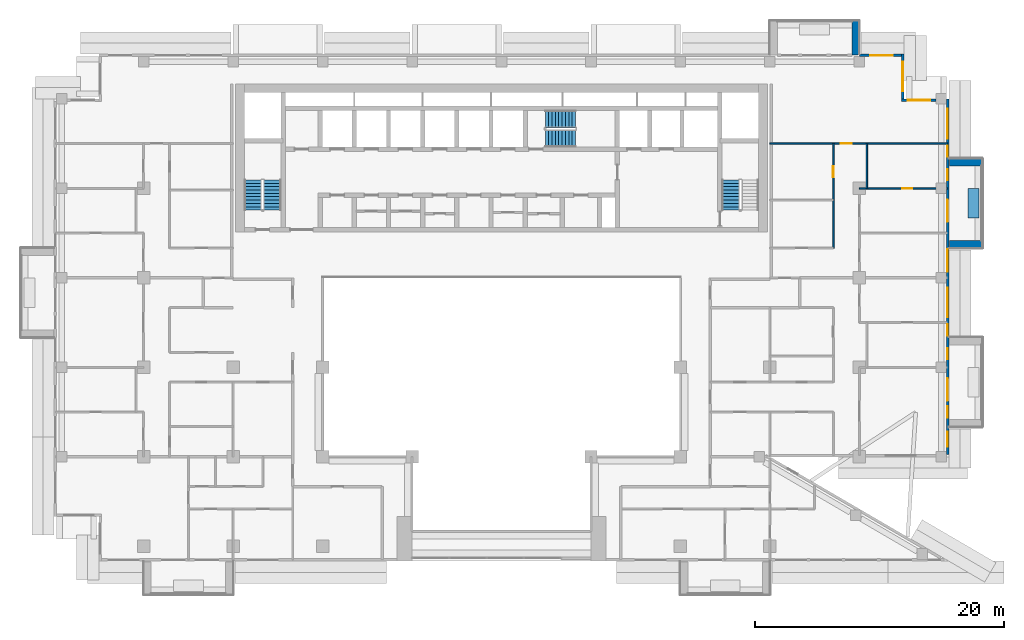
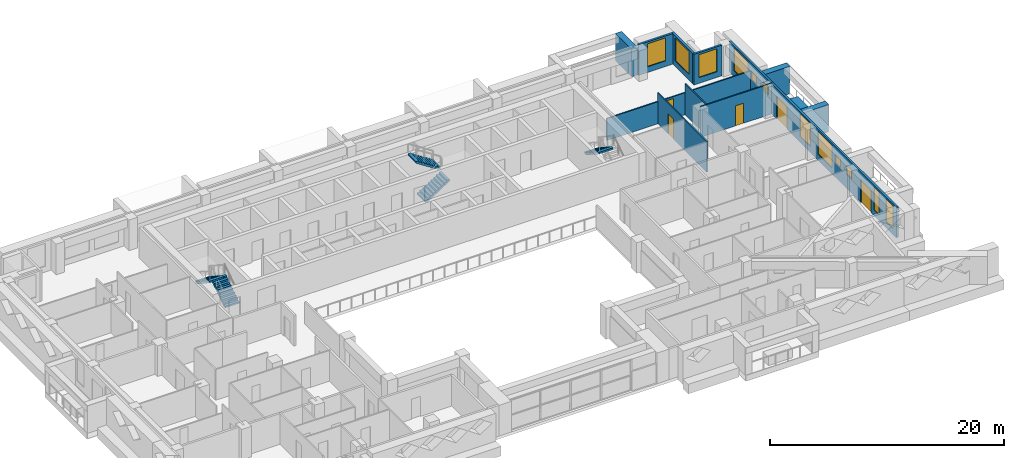
# One storey, part 12 of 20: 12 walls, 12 windows, 5 doors, 5 stair flights, 17 openings, 3 elements without a shape of their own.
"""IFC4 building model written with IfcOpenShell, lengths in metres."""

from ifc_helpers import new_model, si_unit, direction, frame, frame_2d, origin, place, context, subcontext, project, spatial, polyline, rectangle, outline, extrude, material, layer, layer_set, type_object, element, fill, aggregate, save


model = new_model("IFC4")

# Units and contexts
model_context = context("Model", 3, precision=1e-05, world=origin(), true_north=direction((0.0, 1.0)))
body_context = subcontext(model_context, "Body", "Model", "MODEL_VIEW")
ifc_project = project(units=[si_unit("LENGTHUNIT", "METRE"), si_unit("AREAUNIT", "SQUARE_METRE"), si_unit("VOLUMEUNIT", "CUBIC_METRE"), si_unit("PLANEANGLEUNIT", "RADIAN"), si_unit("MASSUNIT", "GRAM", prefix="KILO")], contexts=[model_context])

# Site, building, storey
site_placement = place(None, origin())
site = spatial("IfcSite", under=ifc_project, at=site_placement, CompositionType="ELEMENT")
building_placement = place(site_placement, origin())
building = spatial("IfcBuilding", under=site, at=building_placement, Name="Saffron Iwan Residences", CompositionType="ELEMENT")
storey_placement = place(building_placement, frame((0.0, 0.0, 167.5)))
storey = spatial("IfcBuildingStorey", under=building, at=storey_placement, Name="L44", CompositionType="ELEMENT", Elevation=167.5)

# Walls
ifc_material_1 = material(Name="Concrete C50/60 white painted", Category="concrete")
ifc_layer_1 = layer(ifc_material_1, 0.60009765625)
ifc_layer_set_1 = layer_set([ifc_layer_1], Name="Concrete C50/60 white painted")
wall_type_1 = type_object("IfcWallType", Name="BALCONY FIN 600", PredefinedType="SOLIDWALL", material=ifc_layer_set_1)
for number, where, z_axis, x_axis, name in (
    (1, (86.449951171875, 65.10009765625, 0.0), (0.0, 0.0, 1.0), (1.0, 0.0, 0.0), "Balcony fin L44 F2-1a"),
    (2, (86.449951171875, 71.699951171875, 0.0), (0.0, 0.0, 1.0), (1.0, 0.0, 0.0), "Balcony fin L44 F2-1b"),
):
    element("IfcWall", number, at=place(storey_placement, frame(where, z_axis=z_axis, x_axis=x_axis)), inside=storey, type_object=wall_type_1, Name=name, PredefinedType="SOLIDWALL", context=body_context, shape_type="SweptSolid", body=[
        extrude(rectangle(XDim=2.650146484375, YDim=0.60009765625, at=frame_2d((1.3251953125, 0.0))), origin(), (0.0, 0.0, 1.0), 2.85009765625),
    ])
wall_1_placement = place(storey_placement, frame((78.89990234375, 80.324951171875, 0.0), z_axis=(0.0, 0.0, 1.0), x_axis=(0.0, 1.0, 0.0)))
element("IfcWall", 3, at=wall_1_placement, inside=storey, type_object=wall_type_1, Name="Balcony fin L44 F5-0a", PredefinedType="SOLIDWALL", context=body_context, shape_type="SweptSolid", body=[
    extrude(rectangle(XDim=2.775146484375, YDim=0.60009765625, at=frame_2d((1.3876953125, 0.0))), origin(), (0.0, 0.0, 1.0), 2.85009765625),
])
ifc_material_2 = material(Name="Concrete C35/45 white painted", Category="concrete")
ifc_layer_2 = layer(ifc_material_2, 0.14990234375)
ifc_layer_set_2 = layer_set([ifc_layer_2], Name="Concrete C35/45 white painted")
wall_type_2 = type_object("IfcWallType", Name="BALCONY PLANTER", PredefinedType="SOLIDWALL", material=ifc_layer_set_2)
wall_2_placement = place(storey_placement, frame((88.375, 67.199951171875, 0.0), z_axis=(0.0, 0.0, 1.0), x_axis=(0.0, 1.0, 0.0)))
element("IfcWall", 4, at=wall_2_placement, inside=storey, type_object=wall_type_2, Name="PLANTER L44 F2-1", PredefinedType="SOLIDWALL", context=body_context, shape_type="SweptSolid", body=[
    extrude(rectangle(XDim=2.400146484375, YDim=0.89990234375, at=frame_2d((1.2001953125, 0.0))), origin(), (0.0, 0.0, 1.0), 0.89990234375),
])

# Wall, openings, doors, windows
ifc_material_3 = material(Name="Concrete C40/50", Category="concrete")
ifc_layer_3 = layer(ifc_material_3, 0.199951171875)
ifc_layer_set_3 = layer_set([ifc_layer_3], Name="Concrete C40/50")
wall_type_3 = type_object("IfcWallType", Name="EXTERNAL WALL 200", PredefinedType="SOLIDWALL", material=ifc_layer_set_3)
wall_3_placement = place(storey_placement, frame((86.300048828125, 48.199951171875, 0.0), z_axis=(0.0, 0.0, 1.0), x_axis=(0.0, 1.0, 0.0)))
wall_3 = element("IfcWall", 5, at=wall_3_placement, inside=storey, type_object=wall_type_3, Name="External wall L44 F2.0", PredefinedType="SOLIDWALL", context=body_context, shape_type="SweptSolid", body=[
    extrude(rectangle(XDim=28.60009765625, YDim=0.199951171875, at=frame_2d((14.300048828125, 0.0))), origin(), (0.0, 0.0, 1.0), 3.199951171875),
])
opening_1_placement = place(wall_3_placement, frame((4.300048828125, 0.0, 0.0)))
opening_1 = element("IfcOpeningElement", 6, at=opening_1_placement, cuts=wall_3, Name="Opening BD1", PredefinedType="OPENING", context=body_context, shape_type="SweptSolid", body=[
    extrude(rectangle(XDim=1.800048828125, YDim=2.39990234375, at=frame_2d((0.89990234375, 1.199951171875))), frame((0.0, 0.10986328125, 0.0), z_axis=(0.0, -1.0, 0.0), x_axis=(1.0, 0.0, 0.0)), (0.0, 0.0, 1.0), 0.219970703125),
])
opening_2_placement = place(wall_3_placement, frame((18.699951171875, 0.0, 0.0)))
opening_2 = element("IfcOpeningElement", 7, at=opening_2_placement, cuts=wall_3, Name="Opening BD1", PredefinedType="OPENING", context=body_context, shape_type="SweptSolid", body=[
    extrude(rectangle(XDim=1.800048828125, YDim=2.39990234375, at=frame_2d((0.89990234375, 1.199951171875))), frame((0.0, 0.10986328125, 0.0), z_axis=(0.0, -1.0, 0.0), x_axis=(1.0, 0.0, 0.0)), (0.0, 0.0, 1.0), 0.219970703125),
])
opening_3_placement = place(wall_3_placement, frame((0.60009765625, 0.0, 0.60009765625)))
opening_3 = element("IfcOpeningElement", 8, at=opening_3_placement, cuts=wall_3, Name="Opening W3", PredefinedType="OPENING", context=body_context, shape_type="SweptSolid", body=[
    extrude(rectangle(XDim=1.199951171875, YDim=2.39990234375, at=frame_2d((0.60009765625, 1.199951171875))), frame((0.0, 0.10986328125, 0.0), z_axis=(0.0, -1.0, 0.0), x_axis=(1.0, 0.0, 0.0)), (0.0, 0.0, 1.0), 0.219970703125),
])
opening_4_placement = place(wall_3_placement, frame((2.949951171875, 0.0, 0.60009765625)))
opening_4 = element("IfcOpeningElement", 9, at=opening_4_placement, cuts=wall_3, Name="Opening W10", PredefinedType="OPENING", context=body_context, shape_type="SweptSolid", body=[
    extrude(rectangle(XDim=0.89990234375, YDim=2.39990234375, at=frame_2d((0.449951171875, 1.199951171875))), frame((0.0, 0.10986328125, 0.0), z_axis=(0.0, -1.0, 0.0), x_axis=(1.0, 0.0, 0.0)), (0.0, 0.0, 1.0), 0.219970703125),
])
opening_5_placement = place(wall_3_placement, frame((11.012451171875, 0.0, 0.60009765625)))
opening_5 = element("IfcOpeningElement", 10, at=opening_5_placement, cuts=wall_3, Name="Opening W1", PredefinedType="OPENING", context=body_context, shape_type="SweptSolid", body=[
    extrude(rectangle(XDim=2.39990234375, YDim=2.39990234375, at=frame_2d((1.199951171875, 1.199951171875))), frame((0.0, 0.10986328125, 0.0), z_axis=(0.0, -1.0, 0.0), x_axis=(1.0, 0.0, 0.0)), (0.0, 0.0, 1.0), 0.219970703125),
])
opening_6_placement = place(wall_3_placement, frame((7.637451171875, 0.0, 1.5)))
opening_6 = element("IfcOpeningElement", 11, at=opening_6_placement, cuts=wall_3, Name="Opening W6", PredefinedType="OPENING", context=body_context, shape_type="SweptSolid", body=[
    extrude(rectangle(XDim=0.89990234375, YDim=0.89990234375, at=frame_2d((0.449951171875, 0.449951171875))), frame((0.0, 0.10986328125, 0.0), z_axis=(0.0, -1.0, 0.0), x_axis=(1.0, 0.0, 0.0)), (0.0, 0.0, 1.0), 0.219970703125),
])
opening_7_placement = place(wall_3_placement, frame((9.550048828125, 0.0, 1.5)))
opening_7 = element("IfcOpeningElement", 12, at=opening_7_placement, cuts=wall_3, Name="Opening W6", PredefinedType="OPENING", context=body_context, shape_type="SweptSolid", body=[
    extrude(rectangle(XDim=0.89990234375, YDim=0.89990234375, at=frame_2d((0.449951171875, 0.449951171875))), frame((0.0, 0.10986328125, 0.0), z_axis=(0.0, -1.0, 0.0), x_axis=(1.0, 0.0, 0.0)), (0.0, 0.0, 1.0), 0.219970703125),
])
opening_8_placement = place(wall_3_placement, frame((14.6875, 0.0, 0.60009765625)))
opening_8 = element("IfcOpeningElement", 13, at=opening_8_placement, cuts=wall_3, Name="Opening W8", PredefinedType="OPENING", context=body_context, shape_type="SweptSolid", body=[
    extrude(rectangle(XDim=1.800048828125, YDim=2.39990234375, at=frame_2d((0.89990234375, 1.199951171875))), frame((0.0, 0.10986328125, 0.0), z_axis=(0.0, -1.0, 0.0), x_axis=(1.0, 0.0, 0.0)), (0.0, 0.0, 1.0), 0.219970703125),
])
opening_9_placement = place(wall_3_placement, frame((22.03759765625, 0.0, 1.5)))
opening_9 = element("IfcOpeningElement", 14, at=opening_9_placement, cuts=wall_3, Name="Opening W6", PredefinedType="OPENING", context=body_context, shape_type="SweptSolid", body=[
    extrude(rectangle(XDim=0.89990234375, YDim=0.89990234375, at=frame_2d((0.449951171875, 0.449951171875))), frame((0.0, 0.10986328125, 0.0), z_axis=(0.0, -1.0, 0.0), x_axis=(1.0, 0.0, 0.0)), (0.0, 0.0, 1.0), 0.219970703125),
])
opening_10_placement = place(wall_3_placement, frame((23.949951171875, 0.0, 1.5)))
opening_10 = element("IfcOpeningElement", 15, at=opening_10_placement, cuts=wall_3, Name="Opening W6", PredefinedType="OPENING", context=body_context, shape_type="SweptSolid", body=[
    extrude(rectangle(XDim=0.89990234375, YDim=0.89990234375, at=frame_2d((0.449951171875, 0.449951171875))), frame((0.0, 0.10986328125, 0.0), z_axis=(0.0, -1.0, 0.0), x_axis=(1.0, 0.0, 0.0)), (0.0, 0.0, 1.0), 0.219970703125),
])
opening_11_placement = place(wall_3_placement, frame((25.41259765625, 0.0, 0.60009765625)))
opening_11 = element("IfcOpeningElement", 16, at=opening_11_placement, cuts=wall_3, Name="Opening W1", PredefinedType="OPENING", context=body_context, shape_type="SweptSolid", body=[
    extrude(rectangle(XDim=2.39990234375, YDim=2.39990234375, at=frame_2d((1.199951171875, 1.199951171875))), frame((0.0, 0.10986328125, 0.0), z_axis=(0.0, -1.0, 0.0), x_axis=(1.0, 0.0, 0.0)), (0.0, 0.0, 1.0), 0.219970703125),
])
ifc_material_4 = material(Name="Clear glass, laminated double glazed", Category="glass")
door_type_1 = type_object("IfcDoorType", Name="BALCONY DOOR 1800 x 2400", OperationType="DOUBLE_DOOR_SLIDING", PredefinedType="DOOR", material=ifc_material_4)
door_1_placement = place(opening_1_placement, origin())
door_1 = element("IfcDoor", 17, at=door_1_placement, inside=storey, type_object=door_type_1, Name="Balcony door L44 F2.0", OperationType="DOUBLE_DOOR_SLIDING", OverallHeight=2.39990234375, OverallWidth=1.800048828125, PredefinedType="DOOR", context=body_context, shape_type="SweptSolid", body=[
    extrude(rectangle(XDim=1.800048828125, YDim=2.39990234375, at=frame_2d((0.89990234375, 1.199951171875))), frame((0.0, 0.02490234375, 0.0), z_axis=(0.0, -1.0, 0.0), x_axis=(1.0, 0.0, 0.0)), (0.0, 0.0, 1.0), 0.050048828125),
])
fill(opening_1, door_1)
door_2_placement = place(opening_2_placement, origin())
door_2 = element("IfcDoor", 18, at=door_2_placement, inside=storey, type_object=door_type_1, Name="Balcony door L44 F2.1", OperationType="DOUBLE_DOOR_SLIDING", OverallHeight=2.39990234375, OverallWidth=1.800048828125, PredefinedType="DOOR", context=body_context, shape_type="SweptSolid", body=[
    extrude(rectangle(XDim=1.800048828125, YDim=2.39990234375, at=frame_2d((0.89990234375, 1.199951171875))), frame((0.0, 0.02490234375, 0.0), z_axis=(0.0, -1.0, 0.0), x_axis=(1.0, 0.0, 0.0)), (0.0, 0.0, 1.0), 0.050048828125),
])
fill(opening_2, door_2)
window_type_1 = type_object("IfcWindowType", Name="WINDOW 1200 x 2400", PartitioningType="SINGLE_PANEL", PredefinedType="WINDOW", material=ifc_material_4)
window_1_placement = place(opening_3_placement, origin())
window_1 = element("IfcWindow", 19, at=window_1_placement, inside=storey, type_object=window_type_1, Name="Window L44 F2.2", OverallHeight=2.39990234375, OverallWidth=1.199951171875, PartitioningType="SINGLE_PANEL", PredefinedType="WINDOW", context=body_context, shape_type="SweptSolid", body=[
    extrude(rectangle(XDim=1.199951171875, YDim=2.39990234375, at=frame_2d((0.60009765625, 1.199951171875))), frame((0.0, 0.030029296875, 0.0), z_axis=(0.0, -1.0, 0.0), x_axis=(1.0, 0.0, 0.0)), (0.0, 0.0, 1.0), 0.06005859375),
])
fill(opening_3, window_1)
window_type_2 = type_object("IfcWindowType", Name="WINDOW 1800 x 2400", PartitioningType="DOUBLE_PANEL_VERTICAL", PredefinedType="WINDOW", material=ifc_material_4)
window_2_placement = place(opening_8_placement, origin())
window_2 = element("IfcWindow", 20, at=window_2_placement, inside=storey, type_object=window_type_2, Name="Window L44 F2.7", OverallHeight=2.39990234375, OverallWidth=1.800048828125, PartitioningType="DOUBLE_PANEL_VERTICAL", PredefinedType="WINDOW", context=body_context, shape_type="SweptSolid", body=[
    extrude(rectangle(XDim=1.800048828125, YDim=2.39990234375, at=frame_2d((0.89990234375, 1.199951171875))), frame((0.0, 0.030029296875, 0.0), z_axis=(0.0, -1.0, 0.0), x_axis=(1.0, 0.0, 0.0)), (0.0, 0.0, 1.0), 0.06005859375),
])
fill(opening_8, window_2)
window_type_3 = type_object("IfcWindowType", Name="WINDOW 2400 x 2400", PartitioningType="DOUBLE_PANEL_VERTICAL", PredefinedType="WINDOW", material=ifc_material_4)
window_3_placement = place(opening_5_placement, origin())
window_3 = element("IfcWindow", 21, at=window_3_placement, inside=storey, type_object=window_type_3, Name="Window L44 F2.4", OverallHeight=2.39990234375, OverallWidth=2.39990234375, PartitioningType="DOUBLE_PANEL_VERTICAL", PredefinedType="WINDOW", context=body_context, shape_type="SweptSolid", body=[
    extrude(rectangle(XDim=2.39990234375, YDim=2.39990234375, at=frame_2d((1.199951171875, 1.199951171875))), frame((0.0, 0.030029296875, 0.0), z_axis=(0.0, -1.0, 0.0), x_axis=(1.0, 0.0, 0.0)), (0.0, 0.0, 1.0), 0.06005859375),
])
fill(opening_5, window_3)
window_4_placement = place(opening_11_placement, origin())
window_4 = element("IfcWindow", 22, at=window_4_placement, inside=storey, type_object=window_type_3, Name="Window L44 F2.10", OverallHeight=2.39990234375, OverallWidth=2.39990234375, PartitioningType="DOUBLE_PANEL_VERTICAL", PredefinedType="WINDOW", context=body_context, shape_type="SweptSolid", body=[
    extrude(rectangle(XDim=2.39990234375, YDim=2.39990234375, at=frame_2d((1.199951171875, 1.199951171875))), frame((0.0, 0.030029296875, 0.0), z_axis=(0.0, -1.0, 0.0), x_axis=(1.0, 0.0, 0.0)), (0.0, 0.0, 1.0), 0.06005859375),
])
fill(opening_11, window_4)
window_type_4 = type_object("IfcWindowType", Name="WINDOW 900 x 2400", PartitioningType="SINGLE_PANEL", PredefinedType="WINDOW", material=ifc_material_4)
window_5_placement = place(opening_4_placement, origin())
window_5 = element("IfcWindow", 23, at=window_5_placement, inside=storey, type_object=window_type_4, Name="Window L44 F2.3", OverallHeight=2.39990234375, OverallWidth=0.89990234375, PartitioningType="SINGLE_PANEL", PredefinedType="WINDOW", context=body_context, shape_type="SweptSolid", body=[
    extrude(rectangle(XDim=0.89990234375, YDim=2.39990234375, at=frame_2d((0.449951171875, 1.199951171875))), frame((0.0, 0.030029296875, 0.0), z_axis=(0.0, -1.0, 0.0), x_axis=(1.0, 0.0, 0.0)), (0.0, 0.0, 1.0), 0.06005859375),
])
fill(opening_4, window_5)
window_type_5 = type_object("IfcWindowType", Name="WINDOW 900 x 900 BATH", PartitioningType="SINGLE_PANEL", PredefinedType="WINDOW", material=ifc_material_4)
window_6_placement = place(opening_6_placement, origin())
window_6 = element("IfcWindow", 24, at=window_6_placement, inside=storey, type_object=window_type_5, Name="Window L44 F2.5", OverallHeight=0.89990234375, OverallWidth=0.89990234375, PartitioningType="SINGLE_PANEL", PredefinedType="WINDOW", context=body_context, shape_type="SweptSolid", body=[
    extrude(rectangle(XDim=0.89990234375, YDim=0.89990234375, at=frame_2d((0.449951171875, 0.449951171875))), frame((0.0, 0.030029296875, 0.0), z_axis=(0.0, -1.0, 0.0), x_axis=(1.0, 0.0, 0.0)), (0.0, 0.0, 1.0), 0.06005859375),
])
fill(opening_6, window_6)
window_7_placement = place(opening_7_placement, origin())
window_7 = element("IfcWindow", 25, at=window_7_placement, inside=storey, type_object=window_type_5, Name="Window L44 F2.6", OverallHeight=0.89990234375, OverallWidth=0.89990234375, PartitioningType="SINGLE_PANEL", PredefinedType="WINDOW", context=body_context, shape_type="SweptSolid", body=[
    extrude(rectangle(XDim=0.89990234375, YDim=0.89990234375, at=frame_2d((0.449951171875, 0.449951171875))), frame((0.0, 0.030029296875, 0.0), z_axis=(0.0, -1.0, 0.0), x_axis=(1.0, 0.0, 0.0)), (0.0, 0.0, 1.0), 0.06005859375),
])
fill(opening_7, window_7)
window_8_placement = place(opening_9_placement, origin())
window_8 = element("IfcWindow", 26, at=window_8_placement, inside=storey, type_object=window_type_5, Name="Window L44 F2.8", OverallHeight=0.89990234375, OverallWidth=0.89990234375, PartitioningType="SINGLE_PANEL", PredefinedType="WINDOW", context=body_context, shape_type="SweptSolid", body=[
    extrude(rectangle(XDim=0.89990234375, YDim=0.89990234375, at=frame_2d((0.449951171875, 0.449951171875))), frame((0.0, 0.030029296875, 0.0), z_axis=(0.0, -1.0, 0.0), x_axis=(1.0, 0.0, 0.0)), (0.0, 0.0, 1.0), 0.06005859375),
])
fill(opening_9, window_8)
window_9_placement = place(opening_10_placement, origin())
window_9 = element("IfcWindow", 27, at=window_9_placement, inside=storey, type_object=window_type_5, Name="Window L44 F2.9", OverallHeight=0.89990234375, OverallWidth=0.89990234375, PartitioningType="SINGLE_PANEL", PredefinedType="WINDOW", context=body_context, shape_type="SweptSolid", body=[
    extrude(rectangle(XDim=0.89990234375, YDim=0.89990234375, at=frame_2d((0.449951171875, 0.449951171875))), frame((0.0, 0.030029296875, 0.0), z_axis=(0.0, -1.0, 0.0), x_axis=(1.0, 0.0, 0.0)), (0.0, 0.0, 1.0), 0.06005859375),
])
fill(opening_10, window_9)

# Wall, opening, window
wall_4_placement = place(storey_placement, frame((85.375, 76.699951171875, 0.0), z_axis=(0.0, 0.0, 1.0), x_axis=(-1.0, 0.0, 0.0)))
wall_4 = element("IfcWall", 28, at=wall_4_placement, inside=storey, type_object=wall_type_3, Name="External wall L44 F3.0", PredefinedType="SOLIDWALL", context=body_context, shape_type="SweptSolid", body=[
    extrude(rectangle(XDim=2.77490234375, YDim=0.199951171875, at=frame_2d((1.387451171875, 0.0))), origin(), (0.0, 0.0, 1.0), 3.199951171875),
])
opening_12_placement = place(wall_4_placement, frame((0.487548828125, 0.0, 0.60009765625)))
opening_12 = element("IfcOpeningElement", 29, at=opening_12_placement, cuts=wall_4, Name="Opening W8", PredefinedType="OPENING", context=body_context, shape_type="SweptSolid", body=[
    extrude(rectangle(XDim=1.800048828125, YDim=2.39990234375, at=frame_2d((0.89990234375, 1.199951171875))), frame((0.0, 0.10986328125, 0.0), z_axis=(0.0, -1.0, 0.0), x_axis=(1.0, 0.0, 0.0)), (0.0, 0.0, 1.0), 0.219970703125),
])
window_10_placement = place(opening_12_placement, origin())
window_10 = element("IfcWindow", 30, at=window_10_placement, inside=storey, type_object=window_type_2, Name="Window L44 F3.0", OverallHeight=2.39990234375, OverallWidth=1.800048828125, PartitioningType="DOUBLE_PANEL_VERTICAL", PredefinedType="WINDOW", context=body_context, shape_type="SweptSolid", body=[
    extrude(rectangle(XDim=1.800048828125, YDim=2.39990234375, at=frame_2d((0.89990234375, 1.199951171875))), frame((0.0, 0.030029296875, 0.0), z_axis=(0.0, -1.0, 0.0), x_axis=(1.0, 0.0, 0.0)), (0.0, 0.0, 1.0), 0.06005859375),
])
fill(opening_12, window_10)

wall_5_placement = place(storey_placement, frame((82.699951171875, 76.800048828125, 0.0), z_axis=(0.0, 0.0, 1.0), x_axis=(0.0, 1.0, 0.0)))
wall_5 = element("IfcWall", 31, at=wall_5_placement, inside=storey, type_object=wall_type_3, Name="External wall L44 F4.0", PredefinedType="SOLIDWALL", context=body_context, shape_type="SweptSolid", body=[
    extrude(rectangle(XDim=3.599853515625, YDim=0.199951171875, at=frame_2d((1.7998046875, 0.0))), origin(), (0.0, 0.0, 1.0), 3.199951171875),
])
opening_13_placement = place(wall_5_placement, frame((0.60009765625, 0.0, 0.60009765625)))
opening_13 = element("IfcOpeningElement", 32, at=opening_13_placement, cuts=wall_5, Name="Opening W1", PredefinedType="OPENING", context=body_context, shape_type="SweptSolid", body=[
    extrude(rectangle(XDim=2.39990234375, YDim=2.39990234375, at=frame_2d((1.199951171875, 1.199951171875))), frame((0.0, 0.10986328125, 0.0), z_axis=(0.0, -1.0, 0.0), x_axis=(1.0, 0.0, 0.0)), (0.0, 0.0, 1.0), 0.219970703125),
])
window_11_placement = place(opening_13_placement, origin())
window_11 = element("IfcWindow", 33, at=window_11_placement, inside=storey, type_object=window_type_3, Name="Window L44 F4.0", OverallHeight=2.39990234375, OverallWidth=2.39990234375, PartitioningType="DOUBLE_PANEL_VERTICAL", PredefinedType="WINDOW", context=body_context, shape_type="SweptSolid", body=[
    extrude(rectangle(XDim=2.39990234375, YDim=2.39990234375, at=frame_2d((1.199951171875, 1.199951171875))), frame((0.0, 0.030029296875, 0.0), z_axis=(0.0, -1.0, 0.0), x_axis=(1.0, 0.0, 0.0)), (0.0, 0.0, 1.0), 0.06005859375),
])
fill(opening_13, window_11)

wall_6_placement = place(storey_placement, frame((82.60009765625, 80.300048828125, 0.0), z_axis=(0.0, 0.0, 1.0), x_axis=(-1.0, 0.0, 0.0)))
wall_6 = element("IfcWall", 34, at=wall_6_placement, inside=storey, type_object=wall_type_3, Name="External wall L44 F5.0", PredefinedType="SOLIDWALL", context=body_context, shape_type="SweptSolid", body=[
    extrude(rectangle(XDim=3.400146484375, YDim=0.199951171875, at=frame_2d((1.7001953125, 0.0))), origin(), (0.0, 0.0, 1.0), 3.199951171875),
])
opening_14_placement = place(wall_6_placement, frame((0.71240234375, 0.0, 0.60009765625)))
opening_14 = element("IfcOpeningElement", 35, at=opening_14_placement, cuts=wall_6, Name="Opening W8", PredefinedType="OPENING", context=body_context, shape_type="SweptSolid", body=[
    extrude(rectangle(XDim=1.800048828125, YDim=2.39990234375, at=frame_2d((0.89990234375, 1.199951171875))), frame((0.0, 0.10986328125, 0.0), z_axis=(0.0, -1.0, 0.0), x_axis=(1.0, 0.0, 0.0)), (0.0, 0.0, 1.0), 0.219970703125),
])
window_12_placement = place(opening_14_placement, origin())
window_12 = element("IfcWindow", 36, at=window_12_placement, inside=storey, type_object=window_type_2, Name="Window L44 F5.0", OverallHeight=2.39990234375, OverallWidth=1.800048828125, PartitioningType="DOUBLE_PANEL_VERTICAL", PredefinedType="WINDOW", context=body_context, shape_type="SweptSolid", body=[
    extrude(rectangle(XDim=1.800048828125, YDim=2.39990234375, at=frame_2d((0.89990234375, 1.199951171875))), frame((0.0, 0.030029296875, 0.0), z_axis=(0.0, -1.0, 0.0), x_axis=(1.0, 0.0, 0.0)), (0.0, 0.0, 1.0), 0.06005859375),
])
fill(opening_14, window_12)

# Wall, opening, door
ifc_material_5 = material(Name="Gypsum board partition")
ifc_layer_4 = layer(ifc_material_5, 0.1201171875)
ifc_layer_set_4 = layer_set([ifc_layer_4], Name="Gypsum board partition")
wall_type_4 = type_object("IfcWallType", Name="Flat partition 120", PredefinedType="PARTITIONING", material=ifc_layer_set_4)
wall_7_placement = place(storey_placement, frame((79.199951171875, 69.60009765625, 0.0), z_axis=(0.0, 0.0, 1.0), x_axis=(1.0, 0.0, 0.0)))
wall_7 = element("IfcWall", 37, at=wall_7_placement, inside=storey, type_object=wall_type_4, Name="W-L44-PART-h69.6-79.2", PredefinedType="PARTITIONING", context=body_context, shape_type="SweptSolid", body=[
    extrude(rectangle(XDim=7.074951171875, YDim=0.1201171875, at=frame_2d((3.53759765625, 0.0))), origin(), (0.0, 0.0, 1.0), 3.199951171875),
])
opening_15_placement = place(wall_7_placement, frame((3.4375, 0.0, 0.0)))
opening_15 = element("IfcOpeningElement", 38, at=opening_15_placement, cuts=wall_7, Name="Opening FD3", PredefinedType="OPENING", context=body_context, shape_type="SweptSolid", body=[
    extrude(rectangle(XDim=0.800048828125, YDim=2.10009765625, at=frame_2d((0.39990234375, 1.050048828125))), frame((0.0, 0.070068359375, 0.0), z_axis=(0.0, -1.0, 0.0), x_axis=(1.0, 0.0, 0.0)), (0.0, 0.0, 1.0), 0.14013671875),
])
ifc_material_6 = material(Name="Timber door", Category="wood")
door_type_2 = type_object("IfcDoorType", Name="Bathroom door 800", OperationType="NOTDEFINED", PredefinedType="DOOR", material=ifc_material_6)
door_3_placement = place(opening_15_placement, origin())
door_3 = element("IfcDoor", 39, at=door_3_placement, inside=storey, type_object=door_type_2, Name="Door L44-037", OperationType="SINGLE_SWING_LEFT", OverallHeight=2.10009765625, OverallWidth=0.800048828125, PredefinedType="DOOR", context=body_context, shape_type="SweptSolid", body=[
    extrude(rectangle(XDim=0.800048828125, YDim=2.10009765625, at=frame_2d((0.39990234375, 1.050048828125))), frame((0.0, 0.02490234375, 0.0), z_axis=(0.0, -1.0, 0.0), x_axis=(1.0, 0.0, 0.0)), (0.0, 0.0, 1.0), 0.050048828125),
])
fill(opening_15, door_3)

wall_8_placement = place(storey_placement, frame((72.0, 73.199951171875, 0.0), z_axis=(0.0, 0.0, 1.0), x_axis=(1.0, 0.0, 0.0)))
wall_8 = element("IfcWall", 40, at=wall_8_placement, inside=storey, type_object=wall_type_4, Name="W-L44-PART-h73.2-72", PredefinedType="PARTITIONING", context=body_context, shape_type="SweptSolid", body=[
    extrude(rectangle(XDim=14.27490234375, YDim=0.1201171875, at=frame_2d((7.137451171875, 0.0))), origin(), (0.0, 0.0, 1.0), 2.300048828125),
])
opening_16_placement = place(wall_8_placement, frame((5.699951171875, 0.0, 0.0)))
opening_16 = element("IfcOpeningElement", 41, at=opening_16_placement, cuts=wall_8, Name="Opening FD2", PredefinedType="OPENING", context=body_context, shape_type="SweptSolid", body=[
    extrude(rectangle(XDim=0.89990234375, YDim=2.10009765625, at=frame_2d((0.449951171875, 1.050048828125))), frame((0.0, 0.070068359375, 0.0), z_axis=(0.0, -1.0, 0.0), x_axis=(1.0, 0.0, 0.0)), (0.0, 0.0, 1.0), 0.14013671875),
])
door_type_3 = type_object("IfcDoorType", Name="Flat door 900", OperationType="NOTDEFINED", PredefinedType="DOOR", material=ifc_material_6)
door_4_placement = place(opening_16_placement, origin())
door_4 = element("IfcDoor", 42, at=door_4_placement, inside=storey, type_object=door_type_3, Name="Door L44-038", OperationType="SINGLE_SWING_RIGHT", OverallHeight=2.10009765625, OverallWidth=0.89990234375, PredefinedType="DOOR", context=body_context, shape_type="SweptSolid", body=[
    extrude(rectangle(XDim=0.89990234375, YDim=2.10009765625, at=frame_2d((0.449951171875, 1.050048828125))), frame((0.0, 0.02490234375, 0.0), z_axis=(0.0, -1.0, 0.0), x_axis=(1.0, 0.0, 0.0)), (0.0, 0.0, 1.0), 0.050048828125),
])
fill(opening_16, door_4)

wall_9_placement = place(storey_placement, frame((77.10009765625, 64.800048828125, 0.0), z_axis=(0.0, 0.0, 1.0), x_axis=(0.0, 1.0, 0.0)))
wall_9 = element("IfcWall", 43, at=wall_9_placement, inside=storey, type_object=wall_type_4, Name="W-L44-PART-v77.1-64.8", PredefinedType="PARTITIONING", context=body_context, shape_type="SweptSolid", body=[
    extrude(rectangle(XDim=8.39990234375, YDim=0.1201171875, at=frame_2d((4.199951171875, 0.0))), origin(), (0.0, 0.0, 1.0), 3.199951171875),
])
opening_17_placement = place(wall_9_placement, frame((5.675048828125, 0.0, 0.0)))
opening_17 = element("IfcOpeningElement", 44, at=opening_17_placement, cuts=wall_9, Name="Opening FD2", PredefinedType="OPENING", context=body_context, shape_type="SweptSolid", body=[
    extrude(rectangle(XDim=0.89990234375, YDim=2.10009765625, at=frame_2d((0.449951171875, 1.050048828125))), frame((0.0, 0.070068359375, 0.0), z_axis=(0.0, -1.0, 0.0), x_axis=(1.0, 0.0, 0.0)), (0.0, 0.0, 1.0), 0.14013671875),
])
door_5_placement = place(opening_17_placement, origin())
door_5 = element("IfcDoor", 45, at=door_5_placement, inside=storey, type_object=door_type_3, Name="Door L44-040", OperationType="SINGLE_SWING_LEFT", OverallHeight=2.10009765625, OverallWidth=0.89990234375, PredefinedType="DOOR", context=body_context, shape_type="SweptSolid", body=[
    extrude(rectangle(XDim=0.89990234375, YDim=2.10009765625, at=frame_2d((0.449951171875, 1.050048828125))), frame((0.0, 0.02490234375, 0.0), z_axis=(0.0, -1.0, 0.0), x_axis=(1.0, 0.0, 0.0)), (0.0, 0.0, 1.0), 0.050048828125),
])
fill(opening_17, door_5)

# Wall
wall_10_placement = place(storey_placement, frame((79.800048828125, 69.60009765625, 0.0), z_axis=(0.0, 0.0, 1.0), x_axis=(0.0, 1.0, 0.0)))
element("IfcWall", 46, at=wall_10_placement, inside=storey, type_object=wall_type_4, Name="W-L44-PART-v79.8-69.6", PredefinedType="PARTITIONING", context=body_context, shape_type="SweptSolid", body=[
    extrude(rectangle(XDim=3.599853515625, YDim=0.1201171875, at=frame_2d((1.7998046875, 0.0))), origin(), (0.0, 0.0, 1.0), 3.199951171875),
])

# Stair, stair flights
ifc_material_7 = material(Name="Concrete C50/60", Category="concrete")
stair_type = type_object("IfcStairType", Name="Stair ST-CORE", PredefinedType="HALF_TURN_STAIR", material=ifc_material_7)
stair_1_placement = place(storey_placement, origin())
stair_1 = element("IfcStair", 47, at=stair_1_placement, inside=storey, type_object=stair_type, Name="L44 Exit Stair ST-W", PredefinedType="HALF_TURN_STAIR")
ifc_layer_5 = layer(ifc_material_7, 0.14990234375)
ifc_layer_set_5 = layer_set([ifc_layer_5], Name="Concrete C50/60")
stair_flight_type = type_object("IfcStairFlightType", Name="Stair flight SFL-RC", PredefinedType="STRAIGHT", material=ifc_layer_set_5)
stair_flight_1_placement = place(storey_placement, frame((31.949951171875, 67.85009765625, 0.0), z_axis=(0.0, 0.0, 1.0), x_axis=(0.0, 1.0, 0.0)))
stair_flight_1 = element("IfcStairFlight", 48, at=stair_flight_1_placement, type_object=stair_flight_type, Name="ST-W flight 1", NumberOfRisers=10, NumberOfTreads=9, PredefinedType="STRAIGHT", RiserHeight=0.175, TreadLength=0.27, context=body_context, shape_type="SweptSolid", body=[
    extrude(outline(polyline([(0.0, 0.0), (0.0, 0.175048828125), (0.27001953125, 0.175048828125), (0.27001953125, 0.35009765625), (0.5400390625, 0.35009765625), (0.5400390625, 0.52490234375), (0.81005859375, 0.52490234375), (0.81005859375, 0.699951171875), (1.080078125, 0.699951171875), (1.080078125, 0.875), (1.35009765625, 0.875), (1.35009765625, 1.050048828125), (1.6201171875, 1.050048828125), (1.6201171875, 1.22509765625), (1.889892578125, 1.22509765625), (1.889892578125, 1.39990234375), (2.159912109375, 1.39990234375), (2.159912109375, 1.574951171875), (2.429931640625, 1.574951171875), (2.429931640625, 1.75), (2.429931640625, 1.396484375), (0.275634765625, 0.0), (0.0, 0.0)])), frame((0.0, 0.699951171875, 0.0), z_axis=(0.0, -1.0, 0.0), x_axis=(1.0, 0.0, 0.0)), (0.0, 0.0, 1.0), 1.39990234375),
])
stair_flight_2_placement = place(storey_placement, frame((30.39990234375, 70.280029296875, 1.75), z_axis=(0.0, 0.0, 1.0), x_axis=(0.0, -1.0, 0.0)))
stair_flight_2 = element("IfcStairFlight", 49, at=stair_flight_2_placement, type_object=stair_flight_type, Name="ST-W flight 2", NumberOfRisers=10, NumberOfTreads=9, PredefinedType="STRAIGHT", RiserHeight=0.175, TreadLength=0.27, context=body_context, shape_type="SweptSolid", body=[
    extrude(outline(polyline([(0.0, 0.0), (0.0, 0.175048828125), (0.27001953125, 0.175048828125), (0.27001953125, 0.35009765625), (0.5400390625, 0.35009765625), (0.5400390625, 0.52490234375), (0.81005859375, 0.52490234375), (0.81005859375, 0.699951171875), (1.080078125, 0.699951171875), (1.080078125, 0.875), (1.35009765625, 0.875), (1.35009765625, 1.050048828125), (1.6201171875, 1.050048828125), (1.6201171875, 1.22509765625), (1.889892578125, 1.22509765625), (1.889892578125, 1.39990234375), (2.159912109375, 1.39990234375), (2.159912109375, 1.574951171875), (2.429931640625, 1.574951171875), (2.429931640625, 1.75), (2.429931640625, 1.396484375), (0.275634765625, 0.0), (0.0, 0.0)])), frame((0.0, 0.699951171875, 0.0), z_axis=(0.0, -1.0, 0.0), x_axis=(1.0, 0.0, 0.0)), (0.0, 0.0, 1.0), 1.39990234375),
])
aggregate(stair_1, [stair_flight_1, stair_flight_2])

stair_2_placement = place(storey_placement, origin())
stair_2 = element("IfcStair", 50, at=stair_2_placement, inside=storey, type_object=stair_type, Name="L44 Exit Stair ST-C", PredefinedType="HALF_TURN_STAIR")
stair_flight_3_placement = place(storey_placement, frame((53.925048828125, 73.625, 0.0), z_axis=(0.0, 0.0, 1.0), x_axis=(1.0, 0.0, 0.0)))
stair_flight_3 = element("IfcStairFlight", 51, at=stair_flight_3_placement, type_object=stair_flight_type, Name="ST-C flight 1", NumberOfRisers=10, NumberOfTreads=9, PredefinedType="STRAIGHT", RiserHeight=0.175, TreadLength=0.27, context=body_context, shape_type="SweptSolid", body=[
    extrude(outline(polyline([(0.0, 0.0), (0.0, 0.175048828125), (0.27001953125, 0.175048828125), (0.27001953125, 0.35009765625), (0.5400390625, 0.35009765625), (0.5400390625, 0.52490234375), (0.81005859375, 0.52490234375), (0.81005859375, 0.699951171875), (1.080078125, 0.699951171875), (1.080078125, 0.875), (1.35009765625, 0.875), (1.35009765625, 1.050048828125), (1.6201171875, 1.050048828125), (1.6201171875, 1.22509765625), (1.889892578125, 1.22509765625), (1.889892578125, 1.39990234375), (2.159912109375, 1.39990234375), (2.159912109375, 1.574951171875), (2.429931640625, 1.574951171875), (2.429931640625, 1.75), (2.429931640625, 1.396484375), (0.275634765625, 0.0), (0.0, 0.0)])), frame((0.0, 0.699951171875, 0.0), z_axis=(0.0, -1.0, 0.0), x_axis=(1.0, 0.0, 0.0)), (0.0, 0.0, 1.0), 1.39990234375),
])
stair_flight_4_placement = place(storey_placement, frame((56.35498046875, 75.175048828125, 1.75), z_axis=(0.0, 0.0, 1.0), x_axis=(-1.0, 0.0, 0.0)))
stair_flight_4 = element("IfcStairFlight", 52, at=stair_flight_4_placement, type_object=stair_flight_type, Name="ST-C flight 2", NumberOfRisers=10, NumberOfTreads=9, PredefinedType="STRAIGHT", RiserHeight=0.175, TreadLength=0.27, context=body_context, shape_type="SweptSolid", body=[
    extrude(outline(polyline([(0.0, 0.0), (0.0, 0.175048828125), (0.27001953125, 0.175048828125), (0.27001953125, 0.35009765625), (0.5400390625, 0.35009765625), (0.5400390625, 0.52490234375), (0.81005859375, 0.52490234375), (0.81005859375, 0.699951171875), (1.080078125, 0.699951171875), (1.080078125, 0.875), (1.35009765625, 0.875), (1.35009765625, 1.050048828125), (1.6201171875, 1.050048828125), (1.6201171875, 1.22509765625), (1.889892578125, 1.22509765625), (1.889892578125, 1.39990234375), (2.159912109375, 1.39990234375), (2.159912109375, 1.574951171875), (2.429931640625, 1.574951171875), (2.429931640625, 1.75), (2.429931640625, 1.396484375), (0.275634765625, 0.0), (0.0, 0.0)])), frame((0.0, 0.699951171875, 0.0), z_axis=(0.0, -1.0, 0.0), x_axis=(1.0, 0.0, 0.0)), (0.0, 0.0, 1.0), 1.39990234375),
])
aggregate(stair_2, [stair_flight_3, stair_flight_4])

# Stair, stair flight
stair_3_placement = place(storey_placement, origin())
stair_3 = element("IfcStair", 53, at=stair_3_placement, inside=storey, type_object=stair_type, Name="L44 Exit Stair ST-E", PredefinedType="HALF_TURN_STAIR")
stair_flight_5_placement = place(storey_placement, frame((68.85009765625, 70.280029296875, 1.75), z_axis=(0.0, 0.0, 1.0), x_axis=(0.0, -1.0, 0.0)))
stair_flight_5 = element("IfcStairFlight", 54, at=stair_flight_5_placement, type_object=stair_flight_type, Name="ST-E flight 2", NumberOfRisers=10, NumberOfTreads=9, PredefinedType="STRAIGHT", RiserHeight=0.175, TreadLength=0.27, context=body_context, shape_type="SweptSolid", body=[
    extrude(outline(polyline([(0.0, 0.0), (0.0, 0.175048828125), (0.27001953125, 0.175048828125), (0.27001953125, 0.35009765625), (0.5400390625, 0.35009765625), (0.5400390625, 0.52490234375), (0.81005859375, 0.52490234375), (0.81005859375, 0.699951171875), (1.080078125, 0.699951171875), (1.080078125, 0.875), (1.35009765625, 0.875), (1.35009765625, 1.050048828125), (1.6201171875, 1.050048828125), (1.6201171875, 1.22509765625), (1.889892578125, 1.22509765625), (1.889892578125, 1.39990234375), (2.159912109375, 1.39990234375), (2.159912109375, 1.574951171875), (2.429931640625, 1.574951171875), (2.429931640625, 1.75), (2.429931640625, 1.396484375), (0.275634765625, 0.0), (0.0, 0.0)])), frame((0.0, 0.699951171875, 0.0), z_axis=(0.0, -1.0, 0.0), x_axis=(1.0, 0.0, 0.0)), (0.0, 0.0, 1.0), 1.39990234375),
])
aggregate(stair_3, [stair_flight_5])

save(model, "model.ifc")
